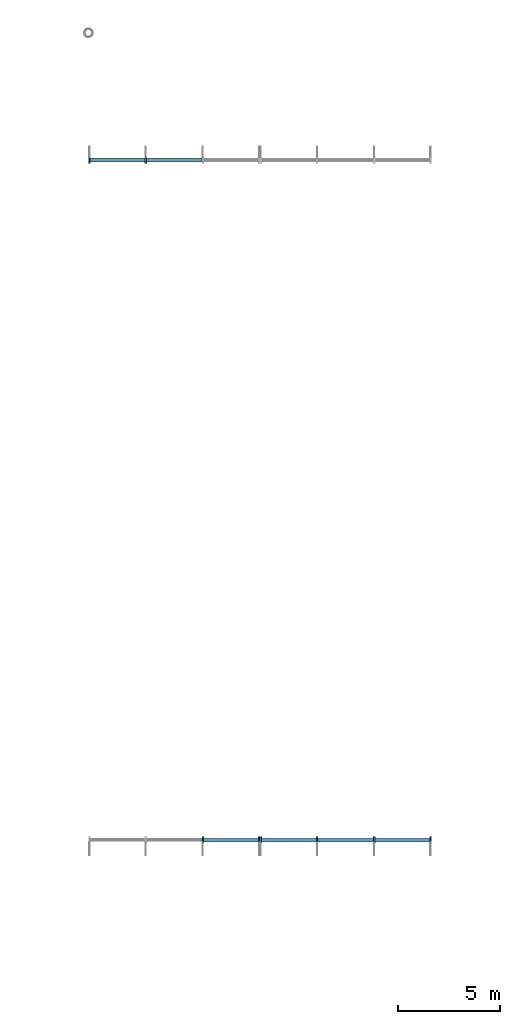
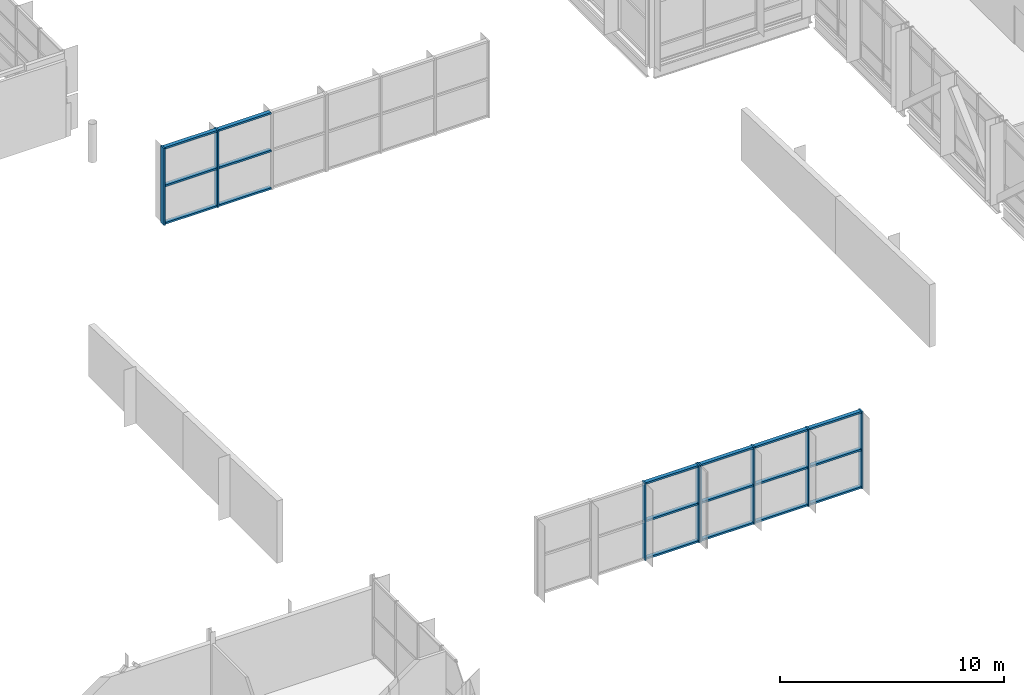
# One storey, part 17 of 72: 26 members, 3 elements without a shape of their own.
"""IFC4 building model written with IfcOpenShell, lengths in metres."""

from ifc_helpers import new_model, si_unit, direction, frame, origin, origin_2d, place, context, subcontext, project, spatial, rectangle, extrude, material, material_profile, profile_set, type_object, element, aggregate, save


model = new_model("IFC4")

# Units and contexts
model_context = context("Model", 3, precision=1e-05, world=origin(), true_north=direction((0.0, 1.0)))
body_context = subcontext(model_context, "Body", "Model", "MODEL_VIEW")
ifc_project = project(units=[si_unit("LENGTHUNIT", "METRE"), si_unit("AREAUNIT", "SQUARE_METRE"), si_unit("VOLUMEUNIT", "CUBIC_METRE"), si_unit("PLANEANGLEUNIT", "RADIAN"), si_unit("MASSUNIT", "GRAM", prefix="KILO")], contexts=[model_context])

# Site, building, storey
site_placement = place(None, origin())
site = spatial("IfcSite", under=ifc_project, at=site_placement, CompositionType="ELEMENT")
building_placement = place(site_placement, origin())
building = spatial("IfcBuilding", under=site, at=building_placement, Name="Hlaing Beacon Police Headquarters", CompositionType="ELEMENT")
storey_placement = place(building_placement, frame((0.0, 0.0, 14.39990234375)))
storey = spatial("IfcBuildingStorey", under=building, at=storey_placement, Name="L03", CompositionType="ELEMENT", Elevation=14.39990234375)

# Curtain wall, members
ifc_material_1 = material(Name="Aluminium frame with solar control glazing", Category="aluminium")
curtain_wall_type = type_object("IfcCurtainWallType", Name="Structural glazed gable wall 8.40 x 4.20", PredefinedType="NOTDEFINED", material=ifc_material_1)
curtain_wall_1_placement = place(storey_placement, origin())
curtain_wall_1 = element("IfcCurtainWall", 1, at=curtain_wall_1_placement, inside=storey, type_object=curtain_wall_type, Name="ENV-CW-L03-N002", PredefinedType="NOTDEFINED")
ifc_material_2 = material(Name="Aluminium", Category="aluminium")
ifc_material_profile_1 = material_profile(ifc_material_2, rectangle(XDim=0.300048828125, YDim=0.080078125, at=origin_2d()), Name="Mullion 80x300")
ifc_profile_set_1 = profile_set([ifc_material_profile_1], Name="Aluminium")
member_type_1 = type_object("IfcMemberType", Name="Mullion 80x300", PredefinedType="MULLION", material=ifc_profile_set_1)
member_1_placement = place(storey_placement, frame((70.0, 67.050048828125, 0.304931640625), z_axis=(0.0, 0.0, 1.0), x_axis=(0.0, -1.0, 0.0)))
member_1 = element("IfcMember", 2, at=member_1_placement, type_object=member_type_1, Name="CW-L03-N002 mullion 3", PredefinedType="MULLION", context=body_context, shape_type="SweptSolid", body=[
    extrude(rectangle(XDim=0.300048828125, YDim=0.080078125, at=origin_2d()), origin(), (0.0, 0.0, 1.0), 4.195068359375),
])
member_2_placement = place(storey_placement, frame((67.239990234375, 67.050048828125, 0.304931640625), z_axis=(0.0, 0.0, 1.0), x_axis=(0.0, -1.0, 0.0)))
member_2 = element("IfcMember", 3, at=member_2_placement, type_object=member_type_1, Name="CW-L03-N002 mullion 4", PredefinedType="MULLION", context=body_context, shape_type="SweptSolid", body=[
    extrude(rectangle(XDim=0.300048828125, YDim=0.080078125, at=origin_2d()), origin(), (0.0, 0.0, 1.0), 4.195068359375),
])

curtain_wall_2_placement = place(storey_placement, origin())
curtain_wall_2 = element("IfcCurtainWall", 4, at=curtain_wall_2_placement, inside=storey, type_object=curtain_wall_type, Name="ENV-CW-L03-S003", PredefinedType="NOTDEFINED")
member_3_placement = place(storey_placement, frame((72.800048828125, 33.75, 0.304931640625), z_axis=(0.0, 0.0, 1.0), x_axis=(0.0, 1.0, 0.0)))
member_3 = element("IfcMember", 5, at=member_3_placement, type_object=member_type_1, Name="CW-L03-S003 mullion 3", PredefinedType="MULLION", context=body_context, shape_type="SweptSolid", body=[
    extrude(rectangle(XDim=0.300048828125, YDim=0.080078125, at=origin_2d()), origin(), (0.0, 0.0, 1.0), 4.195068359375),
])
member_4_placement = place(storey_placement, frame((75.56005859375, 33.75, 0.304931640625), z_axis=(0.0, 0.0, 1.0), x_axis=(0.0, 1.0, 0.0)))
member_4 = element("IfcMember", 6, at=member_4_placement, type_object=member_type_1, Name="CW-L03-S003 mullion 4", PredefinedType="MULLION", context=body_context, shape_type="SweptSolid", body=[
    extrude(rectangle(XDim=0.300048828125, YDim=0.080078125, at=origin_2d()), origin(), (0.0, 0.0, 1.0), 4.195068359375),
])

curtain_wall_3_placement = place(storey_placement, origin())
curtain_wall_3 = element("IfcCurtainWall", 7, at=curtain_wall_3_placement, inside=storey, type_object=curtain_wall_type, Name="ENV-CW-L03-S004", PredefinedType="NOTDEFINED")
member_5_placement = place(storey_placement, frame((75.639892578125, 33.75, 0.304931640625), z_axis=(0.0, 0.0, 1.0), x_axis=(0.0, 1.0, 0.0)))
member_5 = element("IfcMember", 8, at=member_5_placement, type_object=member_type_1, Name="CW-L03-S004 mullion 1", PredefinedType="MULLION", context=body_context, shape_type="SweptSolid", body=[
    extrude(rectangle(XDim=0.300048828125, YDim=0.080078125, at=origin_2d()), origin(), (0.0, 0.0, 1.0), 4.195068359375),
])
member_6_placement = place(storey_placement, frame((78.39990234375, 33.75, 0.304931640625), z_axis=(0.0, 0.0, 1.0), x_axis=(0.0, 1.0, 0.0)))
member_6 = element("IfcMember", 9, at=member_6_placement, type_object=member_type_1, Name="CW-L03-S004 mullion 2", PredefinedType="MULLION", context=body_context, shape_type="SweptSolid", body=[
    extrude(rectangle(XDim=0.300048828125, YDim=0.080078125, at=origin_2d()), origin(), (0.0, 0.0, 1.0), 4.195068359375),
])
member_7_placement = place(storey_placement, frame((81.199951171875, 33.75, 0.304931640625), z_axis=(0.0, 0.0, 1.0), x_axis=(0.0, 1.0, 0.0)))
member_7 = element("IfcMember", 10, at=member_7_placement, type_object=member_type_1, Name="CW-L03-S004 mullion 3", PredefinedType="MULLION", context=body_context, shape_type="SweptSolid", body=[
    extrude(rectangle(XDim=0.300048828125, YDim=0.080078125, at=origin_2d()), origin(), (0.0, 0.0, 1.0), 4.195068359375),
])
member_8_placement = place(storey_placement, frame((83.9599609375, 33.75, 0.304931640625), z_axis=(0.0, 0.0, 1.0), x_axis=(0.0, 1.0, 0.0)))
member_8 = element("IfcMember", 11, at=member_8_placement, type_object=member_type_1, Name="CW-L03-S004 mullion 4", PredefinedType="MULLION", context=body_context, shape_type="SweptSolid", body=[
    extrude(rectangle(XDim=0.300048828125, YDim=0.080078125, at=origin_2d()), origin(), (0.0, 0.0, 1.0), 4.195068359375),
])

# Member
ifc_material_3 = material(Name="Aluminium", Category="aluminium")
ifc_material_profile_2 = material_profile(ifc_material_3, rectangle(XDim=0.199951171875, YDim=0.10009765625, at=origin_2d()), Name="Transom 200x100")
ifc_profile_set_2 = profile_set([ifc_material_profile_2], Name="Aluminium")
member_type_2 = type_object("IfcMemberType", Name="Transom 200x100", PredefinedType="USERDEFINED", material=ifc_profile_set_2)
member_9_placement = place(storey_placement, frame((72.760009765625, 67.050048828125, 0.35498046875), z_axis=(-1.0, 0.0, 0.0), x_axis=(0.0, -1.0, 0.0)))
member_9 = element("IfcMember", 12, at=member_9_placement, type_object=member_type_2, Name="CW-L03-N002 transom 2.1", ObjectType="TRANSOM", PredefinedType="USERDEFINED", context=body_context, shape_type="SweptSolid", body=[
    extrude(rectangle(XDim=0.199951171875, YDim=0.10009765625, at=origin_2d()), origin(), (0.0, 0.0, 1.0), 2.719970703125),
])

member_10_placement = place(storey_placement, frame((72.760009765625, 67.050048828125, 2.40283203125), z_axis=(-1.0, 0.0, 0.0), x_axis=(0.0, -1.0, 0.0)))
member_10 = element("IfcMember", 13, at=member_10_placement, type_object=member_type_2, Name="CW-L03-N002 transom 2.2", ObjectType="TRANSOM", PredefinedType="USERDEFINED", context=body_context, shape_type="SweptSolid", body=[
    extrude(rectangle(XDim=0.199951171875, YDim=0.10009765625, at=origin_2d()), origin(), (0.0, 0.0, 1.0), 2.719970703125),
])

member_11_placement = place(storey_placement, frame((72.760009765625, 67.050048828125, 4.4501953125), z_axis=(-1.0, 0.0, 0.0), x_axis=(0.0, -1.0, 0.0)))
member_11 = element("IfcMember", 14, at=member_11_placement, type_object=member_type_2, Name="CW-L03-N002 transom 2.3", ObjectType="TRANSOM", PredefinedType="USERDEFINED", context=body_context, shape_type="SweptSolid", body=[
    extrude(rectangle(XDim=0.199951171875, YDim=0.10009765625, at=origin_2d()), origin(), (0.0, 0.0, 1.0), 2.719970703125),
])

member_12_placement = place(storey_placement, frame((69.9599609375, 67.050048828125, 0.35498046875), z_axis=(-1.0, 0.0, 0.0), x_axis=(0.0, -1.0, 0.0)))
member_12 = element("IfcMember", 15, at=member_12_placement, type_object=member_type_2, Name="CW-L03-N002 transom 3.1", ObjectType="TRANSOM", PredefinedType="USERDEFINED", context=body_context, shape_type="SweptSolid", body=[
    extrude(rectangle(XDim=0.199951171875, YDim=0.10009765625, at=origin_2d()), origin(), (0.0, 0.0, 1.0), 2.679931640625),
])

member_13_placement = place(storey_placement, frame((69.9599609375, 67.050048828125, 2.40283203125), z_axis=(-1.0, 0.0, 0.0), x_axis=(0.0, -1.0, 0.0)))
member_13 = element("IfcMember", 16, at=member_13_placement, type_object=member_type_2, Name="CW-L03-N002 transom 3.2", ObjectType="TRANSOM", PredefinedType="USERDEFINED", context=body_context, shape_type="SweptSolid", body=[
    extrude(rectangle(XDim=0.199951171875, YDim=0.10009765625, at=origin_2d()), origin(), (0.0, 0.0, 1.0), 2.679931640625),
])

member_14_placement = place(storey_placement, frame((69.9599609375, 67.050048828125, 4.4501953125), z_axis=(-1.0, 0.0, 0.0), x_axis=(0.0, -1.0, 0.0)))
member_14 = element("IfcMember", 17, at=member_14_placement, type_object=member_type_2, Name="CW-L03-N002 transom 3.3", ObjectType="TRANSOM", PredefinedType="USERDEFINED", context=body_context, shape_type="SweptSolid", body=[
    extrude(rectangle(XDim=0.199951171875, YDim=0.10009765625, at=origin_2d()), origin(), (0.0, 0.0, 1.0), 2.679931640625),
])

aggregate(curtain_wall_1, [member_1, member_2, member_9, member_10, member_11, member_12, member_13, member_14])

member_15_placement = place(storey_placement, frame((72.840087890625, 33.75, 0.35498046875), z_axis=(1.0, 0.0, 0.0), x_axis=(0.0, 1.0, 0.0)))
member_15 = element("IfcMember", 18, at=member_15_placement, type_object=member_type_2, Name="CW-L03-S003 transom 3.1", ObjectType="TRANSOM", PredefinedType="USERDEFINED", context=body_context, shape_type="SweptSolid", body=[
    extrude(rectangle(XDim=0.199951171875, YDim=0.10009765625, at=origin_2d()), origin(), (0.0, 0.0, 1.0), 2.679931640625),
])

member_16_placement = place(storey_placement, frame((72.840087890625, 33.75, 2.40283203125), z_axis=(1.0, 0.0, 0.0), x_axis=(0.0, 1.0, 0.0)))
member_16 = element("IfcMember", 19, at=member_16_placement, type_object=member_type_2, Name="CW-L03-S003 transom 3.2", ObjectType="TRANSOM", PredefinedType="USERDEFINED", context=body_context, shape_type="SweptSolid", body=[
    extrude(rectangle(XDim=0.199951171875, YDim=0.10009765625, at=origin_2d()), origin(), (0.0, 0.0, 1.0), 2.679931640625),
])

member_17_placement = place(storey_placement, frame((72.840087890625, 33.75, 4.4501953125), z_axis=(1.0, 0.0, 0.0), x_axis=(0.0, 1.0, 0.0)))
member_17 = element("IfcMember", 20, at=member_17_placement, type_object=member_type_2, Name="CW-L03-S003 transom 3.3", ObjectType="TRANSOM", PredefinedType="USERDEFINED", context=body_context, shape_type="SweptSolid", body=[
    extrude(rectangle(XDim=0.199951171875, YDim=0.10009765625, at=origin_2d()), origin(), (0.0, 0.0, 1.0), 2.679931640625),
])

aggregate(curtain_wall_2, [member_3, member_4, member_15, member_16, member_17])

member_18_placement = place(storey_placement, frame((75.679931640625, 33.75, 0.35498046875), z_axis=(1.0, 0.0, 0.0), x_axis=(0.0, 1.0, 0.0)))
member_18 = element("IfcMember", 21, at=member_18_placement, type_object=member_type_2, Name="CW-L03-S004 transom 1.1", ObjectType="TRANSOM", PredefinedType="USERDEFINED", context=body_context, shape_type="SweptSolid", body=[
    extrude(rectangle(XDim=0.199951171875, YDim=0.10009765625, at=origin_2d()), origin(), (0.0, 0.0, 1.0), 2.68017578125),
])

member_19_placement = place(storey_placement, frame((75.679931640625, 33.75, 2.40283203125), z_axis=(1.0, 0.0, 0.0), x_axis=(0.0, 1.0, 0.0)))
member_19 = element("IfcMember", 22, at=member_19_placement, type_object=member_type_2, Name="CW-L03-S004 transom 1.2", ObjectType="TRANSOM", PredefinedType="USERDEFINED", context=body_context, shape_type="SweptSolid", body=[
    extrude(rectangle(XDim=0.199951171875, YDim=0.10009765625, at=origin_2d()), origin(), (0.0, 0.0, 1.0), 2.68017578125),
])

member_20_placement = place(storey_placement, frame((75.679931640625, 33.75, 4.4501953125), z_axis=(1.0, 0.0, 0.0), x_axis=(0.0, 1.0, 0.0)))
member_20 = element("IfcMember", 23, at=member_20_placement, type_object=member_type_2, Name="CW-L03-S004 transom 1.3", ObjectType="TRANSOM", PredefinedType="USERDEFINED", context=body_context, shape_type="SweptSolid", body=[
    extrude(rectangle(XDim=0.199951171875, YDim=0.10009765625, at=origin_2d()), origin(), (0.0, 0.0, 1.0), 2.68017578125),
])

member_21_placement = place(storey_placement, frame((78.43994140625, 33.75, 0.35498046875), z_axis=(1.0, 0.0, 0.0), x_axis=(0.0, 1.0, 0.0)))
member_21 = element("IfcMember", 24, at=member_21_placement, type_object=member_type_2, Name="CW-L03-S004 transom 2.1", ObjectType="TRANSOM", PredefinedType="USERDEFINED", context=body_context, shape_type="SweptSolid", body=[
    extrude(rectangle(XDim=0.199951171875, YDim=0.10009765625, at=origin_2d()), origin(), (0.0, 0.0, 1.0), 2.719970703125),
])

member_22_placement = place(storey_placement, frame((78.43994140625, 33.75, 2.40283203125), z_axis=(1.0, 0.0, 0.0), x_axis=(0.0, 1.0, 0.0)))
member_22 = element("IfcMember", 25, at=member_22_placement, type_object=member_type_2, Name="CW-L03-S004 transom 2.2", ObjectType="TRANSOM", PredefinedType="USERDEFINED", context=body_context, shape_type="SweptSolid", body=[
    extrude(rectangle(XDim=0.199951171875, YDim=0.10009765625, at=origin_2d()), origin(), (0.0, 0.0, 1.0), 2.719970703125),
])

member_23_placement = place(storey_placement, frame((78.43994140625, 33.75, 4.4501953125), z_axis=(1.0, 0.0, 0.0), x_axis=(0.0, 1.0, 0.0)))
member_23 = element("IfcMember", 26, at=member_23_placement, type_object=member_type_2, Name="CW-L03-S004 transom 2.3", ObjectType="TRANSOM", PredefinedType="USERDEFINED", context=body_context, shape_type="SweptSolid", body=[
    extrude(rectangle(XDim=0.199951171875, YDim=0.10009765625, at=origin_2d()), origin(), (0.0, 0.0, 1.0), 2.719970703125),
])

member_24_placement = place(storey_placement, frame((81.239990234375, 33.75, 0.35498046875), z_axis=(1.0, 0.0, 0.0), x_axis=(0.0, 1.0, 0.0)))
member_24 = element("IfcMember", 27, at=member_24_placement, type_object=member_type_2, Name="CW-L03-S004 transom 3.1", ObjectType="TRANSOM", PredefinedType="USERDEFINED", context=body_context, shape_type="SweptSolid", body=[
    extrude(rectangle(XDim=0.199951171875, YDim=0.10009765625, at=origin_2d()), origin(), (0.0, 0.0, 1.0), 2.679931640625),
])

member_25_placement = place(storey_placement, frame((81.239990234375, 33.75, 2.40283203125), z_axis=(1.0, 0.0, 0.0), x_axis=(0.0, 1.0, 0.0)))
member_25 = element("IfcMember", 28, at=member_25_placement, type_object=member_type_2, Name="CW-L03-S004 transom 3.2", ObjectType="TRANSOM", PredefinedType="USERDEFINED", context=body_context, shape_type="SweptSolid", body=[
    extrude(rectangle(XDim=0.199951171875, YDim=0.10009765625, at=origin_2d()), origin(), (0.0, 0.0, 1.0), 2.679931640625),
])

member_26_placement = place(storey_placement, frame((81.239990234375, 33.75, 4.4501953125), z_axis=(1.0, 0.0, 0.0), x_axis=(0.0, 1.0, 0.0)))
member_26 = element("IfcMember", 29, at=member_26_placement, type_object=member_type_2, Name="CW-L03-S004 transom 3.3", ObjectType="TRANSOM", PredefinedType="USERDEFINED", context=body_context, shape_type="SweptSolid", body=[
    extrude(rectangle(XDim=0.199951171875, YDim=0.10009765625, at=origin_2d()), origin(), (0.0, 0.0, 1.0), 2.679931640625),
])

aggregate(curtain_wall_3, [member_5, member_6, member_7, member_8, member_18, member_19, member_20, member_21, member_22, member_23, member_24, member_25, member_26])

save(model, "model.ifc")
